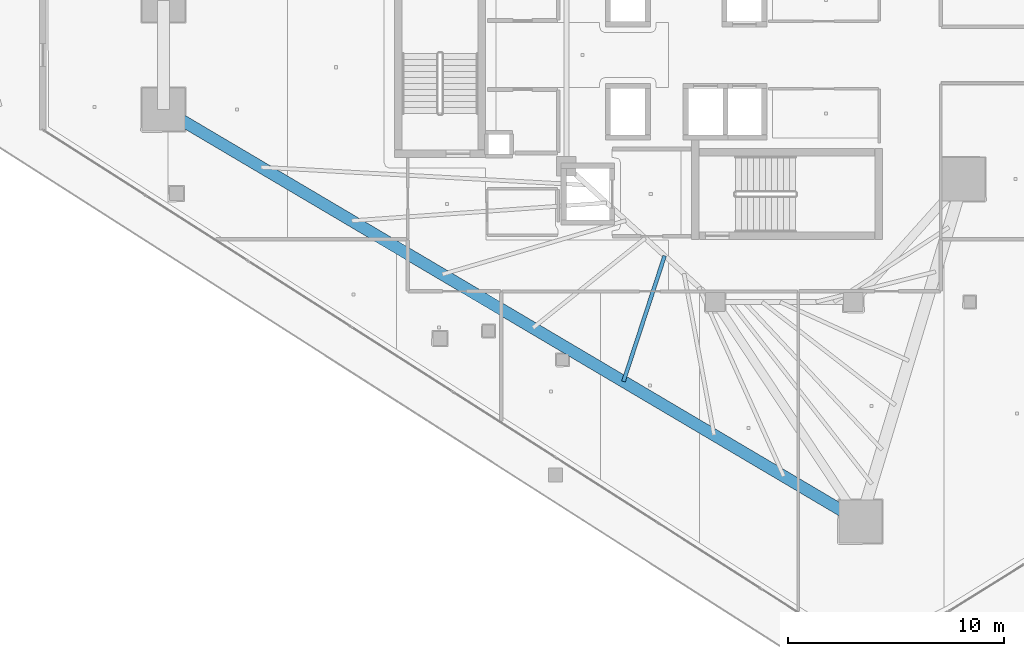
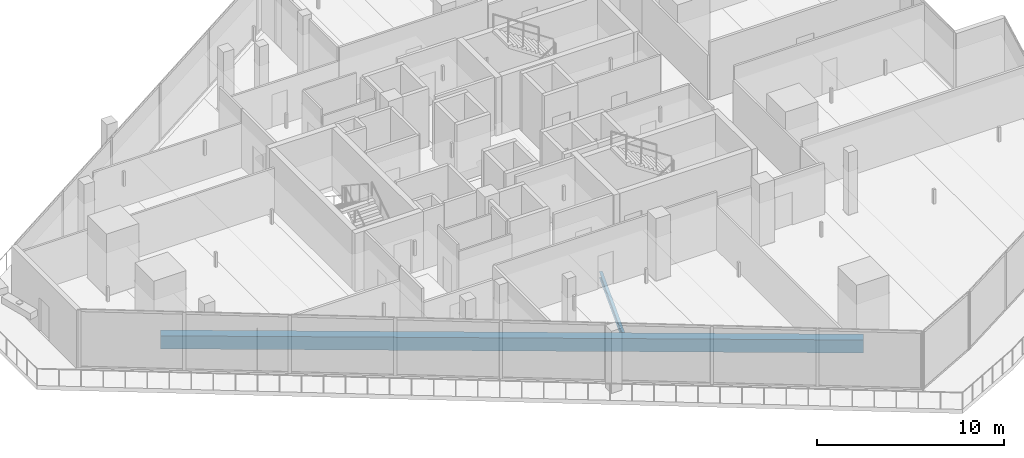
# One storey, part 4 of 37: 2 beams.
"""IFC4 building model written with IfcOpenShell, lengths in metres."""

from ifc_helpers import new_model, si_unit, direction, frame, origin, origin_2d, place, context, subcontext, project, spatial, rectangle, i_section, extrude, material, material_profile, profile_set, type_object, element, save


model = new_model("IFC4")

# Units and contexts
model_context = context("Model", 3, precision=1e-05, world=origin(), true_north=direction((0.0, 1.0)))
body_context = subcontext(model_context, "Body", "Model", "MODEL_VIEW")
ifc_project = project(units=[si_unit("LENGTHUNIT", "METRE"), si_unit("AREAUNIT", "SQUARE_METRE"), si_unit("VOLUMEUNIT", "CUBIC_METRE"), si_unit("PLANEANGLEUNIT", "RADIAN"), si_unit("MASSUNIT", "GRAM", prefix="KILO")], contexts=[model_context])

# Site, building, storey
site_placement = place(None, origin())
site = spatial("IfcSite", under=ifc_project, at=site_placement, CompositionType="ELEMENT")
building_placement = place(site_placement, origin())
building = spatial("IfcBuilding", under=site, at=building_placement, Name="Qorvath Tower", CompositionType="ELEMENT")
storey_placement = place(building_placement, frame((0.0, 0.0, 196.949951171875)))
storey = spatial("IfcBuildingStorey", under=building, at=storey_placement, Name="L45", CompositionType="ELEMENT", Elevation=196.949951171875)

# Beams
ifc_material_1 = material(Name="Steel ASTM A992 Grade 50", Category="steel")
ifc_material_profile_1 = material_profile(ifc_material_1, i_section(OverallWidth=0.177978515625, OverallDepth=0.406005859375, WebThickness=0.0078125, FlangeThickness=0.0126953125, FilletRadius=0.010986328125, at=origin_2d()), Name="W16x40")
ifc_profile_set_1 = profile_set([ifc_material_profile_1], Name="Steel ASTM A992 Grade 50")
beam_type_1 = type_object("IfcBeamType", Name="BM-FJ3", PredefinedType="JOIST", material=ifc_profile_set_1)
beam_1_placement = place(storey_placement, frame((-25.946044921875, -9.30810546875, -0.47314453125), z_axis=(-0.311228747452, -0.950335028692, 0.0), x_axis=(0.950335028692, -0.311228747452, 0.0)))
element("IfcBeam", 1, at=beam_1_placement, inside=storey, type_object=beam_type_1, Name="Composite Floor Joist SW5 L45", PredefinedType="JOIST", context=body_context, shape_type="SweptSolid", body=[
    extrude(i_section(OverallWidth=0.177978515625, OverallDepth=0.406005859375, WebThickness=0.0078125, FlangeThickness=0.0126953125, FilletRadius=0.010986328125, at=origin_2d()), origin(), (0.0, 0.0, 1.0), 6.129638671875),
])
ifc_material_2 = material(Name="Concrete C50/60", Category="concrete")
ifc_material_profile_2 = material_profile(ifc_material_2, rectangle(XDim=0.550048828125, YDim=0.85009765625, at=origin_2d()), Name="RCB 850x550")
ifc_profile_set_2 = profile_set([ifc_material_profile_2], Name="Concrete C50/60")
beam_type_2 = type_object("IfcBeamType", Name="BM-RCB2", PredefinedType="SPANDREL", material=ifc_profile_set_2)
beam_2_placement = place(storey_placement, frame((-49.171875, -2.52783203125, -0.695068359375), z_axis=(0.860776759786, -0.50898268125, 0.0), x_axis=(0.50898268125, 0.860776759786, 0.0)))
element("IfcBeam", 2, at=beam_2_placement, inside=storey, type_object=beam_type_2, Name="Perimeter Loggia Frame Beam MC2-MC3 L45", PredefinedType="SPANDREL", context=body_context, shape_type="SweptSolid", body=[
    extrude(rectangle(XDim=0.550048828125, YDim=0.85009765625, at=origin_2d()), origin(), (0.0, 0.0, 1.0), 37.524658203125),
])

save(model, "model.ifc")
